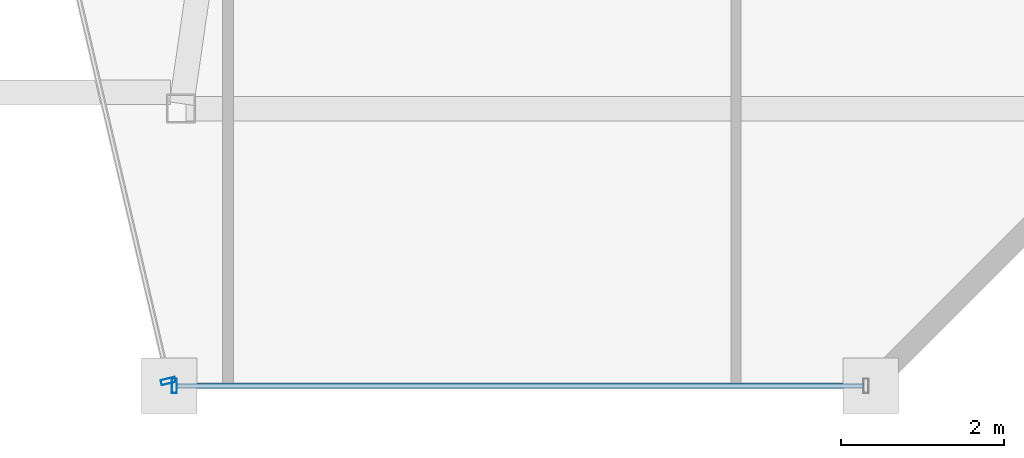
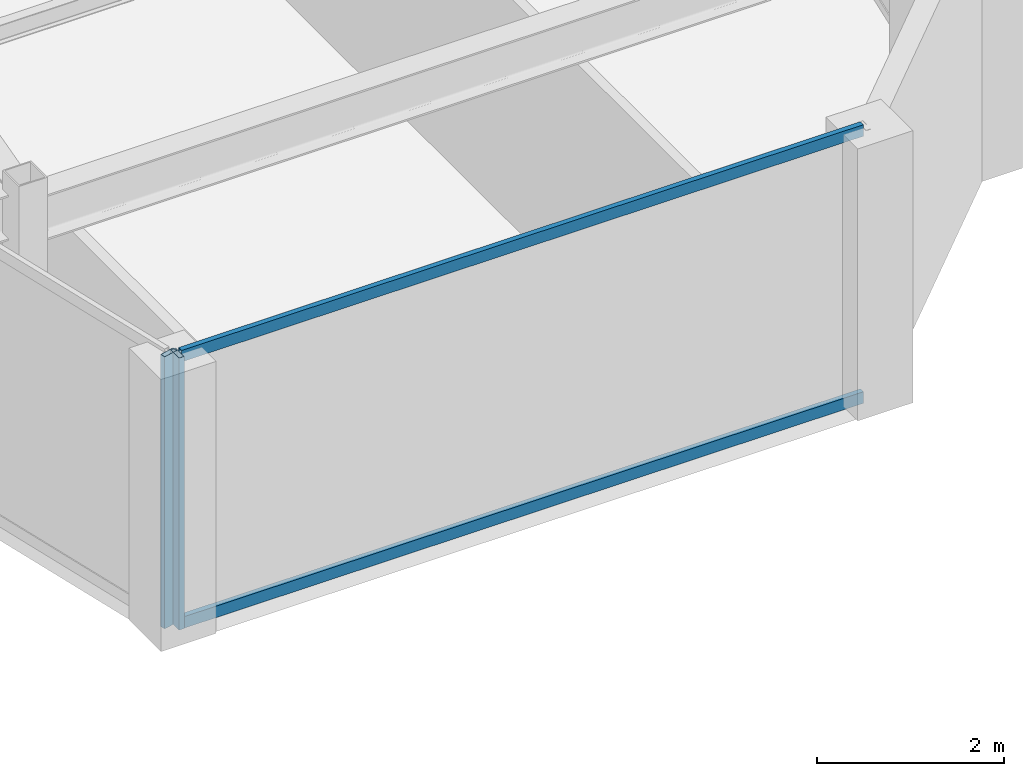
# One storey, part 12 of 32: 4 members, 2 elements without a shape of their own.
"""IFC4 building model written with IfcOpenShell, lengths in metres."""

from ifc_helpers import new_model, si_unit, direction, frame, origin, origin_2d, place, context, subcontext, project, spatial, hollow_rectangle, extrude, material, material_profile, profile_set, type_object, element, aggregate, save


model = new_model("IFC4")

# Units and contexts
model_context = context("Model", 3, precision=1e-05, world=origin(), true_north=direction((0.0, 1.0)))
body_context = subcontext(model_context, "Body", "Model", "MODEL_VIEW")
ifc_project = project(units=[si_unit("LENGTHUNIT", "METRE"), si_unit("AREAUNIT", "SQUARE_METRE"), si_unit("VOLUMEUNIT", "CUBIC_METRE"), si_unit("PLANEANGLEUNIT", "RADIAN"), si_unit("MASSUNIT", "GRAM", prefix="KILO")], contexts=[model_context])

# Site, building, storey
site_placement = place(None, origin())
site = spatial("IfcSite", under=ifc_project, at=site_placement, CompositionType="ELEMENT")
building_placement = place(site_placement, origin())
building = spatial("IfcBuilding", under=site, at=building_placement, Name="Saevonmaru Cultural Tower", CompositionType="ELEMENT")
storey_placement = place(building_placement, frame((0.0, 0.0, 257.199951171875)))
storey = spatial("IfcBuildingStorey", under=building, at=storey_placement, Name="L60", CompositionType="ELEMENT", Elevation=257.199951171875)

# Curtain wall, member
ifc_material = material(Name="Satin Bronze Anodised Aluminium", Category="aluminium")
curtain_wall_type = type_object("IfcCurtainWallType", Name="CW-TYP-B", PredefinedType="NOTDEFINED", material=ifc_material)
curtain_wall_1_placement = place(storey_placement, origin())
curtain_wall_1 = element("IfcCurtainWall", 1, at=curtain_wall_1_placement, inside=storey, type_object=curtain_wall_type, Name="L60 Unitised Curtain Wall E5", PredefinedType="NOTDEFINED")
ifc_material_profile_1 = material_profile(ifc_material, hollow_rectangle(XDim=0.06494140625, YDim=0.179931640625, WallThickness=0.00390625, at=origin_2d()), Name="ALU-MULL-180x65x4")
ifc_profile_set_1 = profile_set([ifc_material_profile_1], Name="Satin Bronze Anodised Aluminium")
member_type_1 = type_object("IfcMemberType", Name="ML-CW-180x65", PredefinedType="MULLION", material=ifc_profile_set_1)
member_1_placement = place(storey_placement, frame((39.390625, 22.8583984375, 0.0), z_axis=(0.0, 0.0, 1.0), x_axis=(0.228189509449, -0.973616735568, 0.0)))
member_1 = element("IfcMember", 2, at=member_1_placement, type_object=member_type_1, Name="CW-TW-L60-E5 mullion 2", PredefinedType="MULLION", context=body_context, shape_type="SweptSolid", body=[
    extrude(hollow_rectangle(XDim=0.06494140625, YDim=0.179931640625, WallThickness=0.00390625, at=origin_2d()), origin(), (0.0, 0.0, 1.0), 3.550048828125),
])
aggregate(curtain_wall_1, [member_1])

# Curtain wall, members
curtain_wall_2_placement = place(storey_placement, origin())
curtain_wall_2 = element("IfcCurtainWall", 3, at=curtain_wall_2_placement, inside=storey, type_object=curtain_wall_type, Name="L60 Unitised Curtain Wall E6", PredefinedType="NOTDEFINED")
member_2_placement = place(storey_placement, frame((39.46435546875, 22.800048828125, 0.0), z_axis=(0.0, 0.0, 1.0), x_axis=(1.0, 0.0, 0.0)))
member_2 = element("IfcMember", 4, at=member_2_placement, type_object=member_type_1, Name="CW-TW-L60-E6 mullion 1", PredefinedType="MULLION", context=body_context, shape_type="SweptSolid", body=[
    extrude(hollow_rectangle(XDim=0.06494140625, YDim=0.179931640625, WallThickness=0.00390625, at=origin_2d()), origin(), (0.0, 0.0, 1.0), 3.550048828125),
])
ifc_material_profile_2 = material_profile(ifc_material, hollow_rectangle(XDim=0.06494140625, YDim=0.14990234375, WallThickness=0.00390625, at=origin_2d()), Name="ALU-TRAN-150x65x4")
ifc_profile_set_2 = profile_set([ifc_material_profile_2], Name="Satin Bronze Anodised Aluminium")
member_type_2 = type_object("IfcMemberType", Name="TR-CW-150x65", PredefinedType="USERDEFINED", material=ifc_profile_set_2)
member_3_placement = place(storey_placement, frame((39.496826171875, 22.800048828125, 0.032470703125), z_axis=(1.0, 0.0, 0.0), x_axis=(0.0, 1.0, 0.0)))
member_3 = element("IfcMember", 5, at=member_3_placement, type_object=member_type_2, Name="CW-TW-L60-E6 transom 1.1", ObjectType="TRANSOM", PredefinedType="USERDEFINED", context=body_context, shape_type="SweptSolid", body=[
    extrude(hollow_rectangle(XDim=0.06494140625, YDim=0.14990234375, WallThickness=0.00390625, at=origin_2d()), origin(), (0.0, 0.0, 1.0), 8.4150390625),
])
member_4_placement = place(storey_placement, frame((39.496826171875, 22.800048828125, 3.517578125), z_axis=(1.0, 0.0, 0.0), x_axis=(0.0, 1.0, 0.0)))
member_4 = element("IfcMember", 6, at=member_4_placement, type_object=member_type_2, Name="CW-TW-L60-E6 transom 1.2", ObjectType="TRANSOM", PredefinedType="USERDEFINED", context=body_context, shape_type="SweptSolid", body=[
    extrude(hollow_rectangle(XDim=0.06494140625, YDim=0.14990234375, WallThickness=0.00390625, at=origin_2d()), origin(), (0.0, 0.0, 1.0), 8.4150390625),
])
aggregate(curtain_wall_2, [member_2, member_3, member_4])

save(model, "model.ifc")
